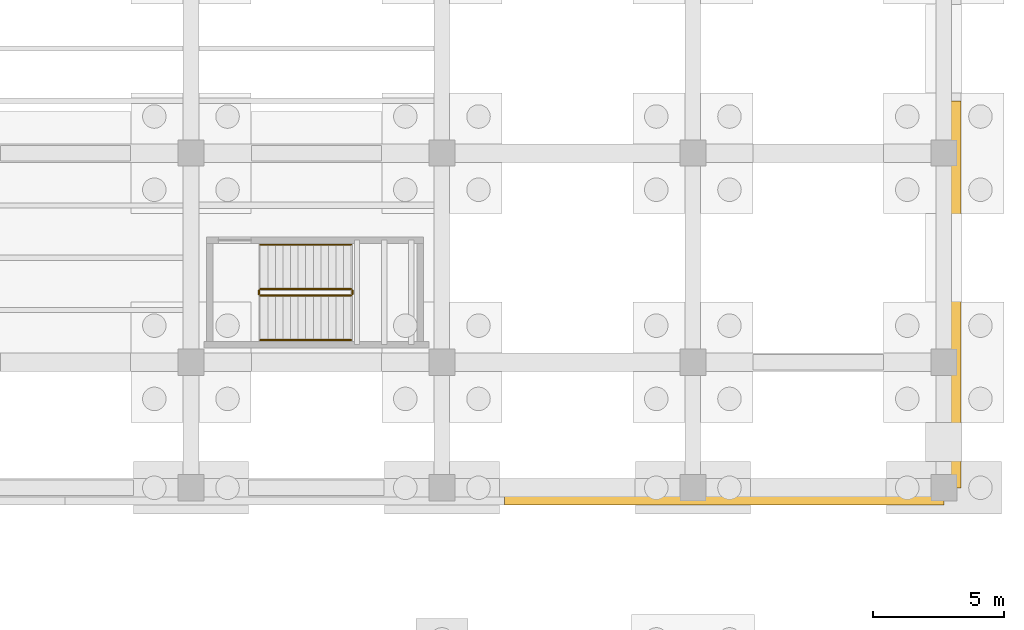
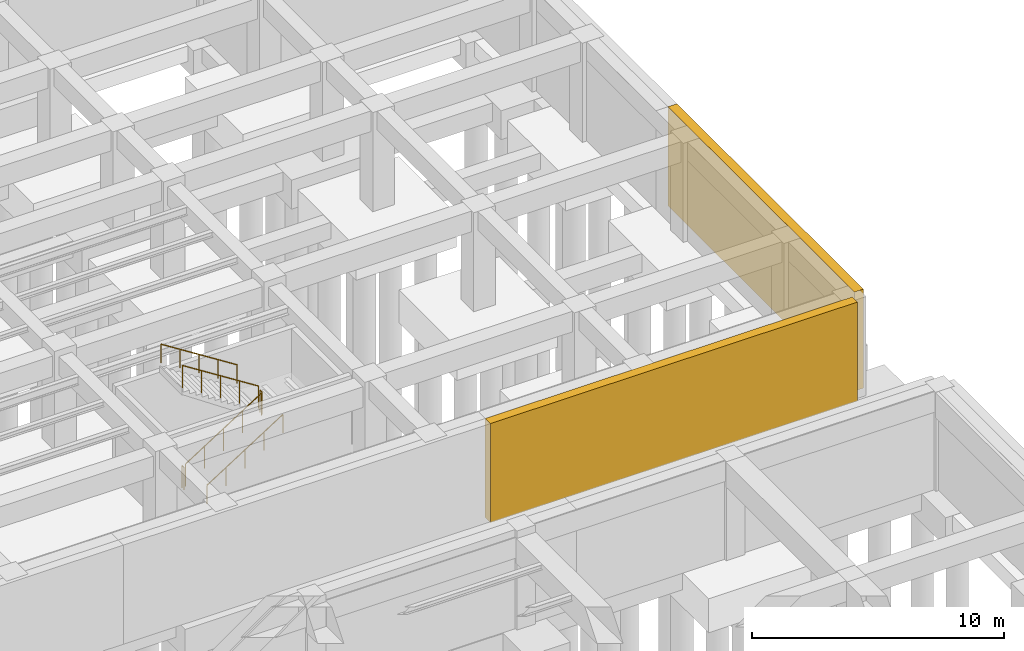
# One storey, part 54 of 56: 6 railings, 2 coverings.
"""IFC4 building model written with IfcOpenShell, lengths in metres."""

import ifcopenshell
import ifcopenshell.guid

model = None  # the IFC model being written
_history = None  # IfcOwnerHistory: only IFC2X3 demands one
_inside = {}  # id of a spatial element -> (the spatial element, [elements in it])
_under = {}  # id of a project, library or spatial element -> (it, [spatial elements below it])
_declared = {}  # id of a project -> (the project, [libraries it declares])
_typed = {}  # id of a type object -> (the type object, [elements of that type])
_made_of = {}  # id of a material, layer set ... -> (it, [elements and type objects made of it])


def new_model(schema):
    """Start an empty IFC model of exactly this schema.

    Asked for "IFC4X3", IfcOpenShell would pick the latest addendum, in which some entities
    have other attributes; the version numbers below select the first issue.
    IFC2X3 requires an IfcOwnerHistory on every rooted entity: one is made here for all.
    """
    global model, _history
    if schema == "IFC4X3":
        model = ifcopenshell.file(schema_version=(4, 3, 0, 0))
    else:
        model = ifcopenshell.file(schema=schema)
    _inside.clear()
    _under.clear()
    _declared.clear()
    _typed.clear()
    _made_of.clear()
    _history = None
    if model.schema == "IFC2X3":
        org = make("IfcOrganization", Name="unknown")
        user = make(
            "IfcPersonAndOrganization",
            ThePerson=make("IfcPerson", FamilyName="unknown"),
            TheOrganization=org,
        )
        app = make(
            "IfcApplication",
            ApplicationDeveloper=org,
            Version="unknown",
            ApplicationFullName="unknown",
            ApplicationIdentifier="unknown",
        )
        _history = make(
            "IfcOwnerHistory",
            OwningUser=user,
            OwningApplication=app,
            ChangeAction="ADDED",
            CreationDate=0,
        )
    return model


def make(cls, **values):
    """One entity of the class cls with the attributes given. An attribute that is None is left unset."""
    return model.create_entity(
        cls, **{name: value for name, value in values.items() if value is not None}
    )


def rooted(cls, **values):
    """An entity with a GlobalId (a new one), such as an element, a storey or a relation."""
    return make(cls, GlobalId=ifcopenshell.guid.new(), OwnerHistory=_history, **values)


def si_unit(unit_type, name, prefix=None):
    """IfcSIUnit, for example si_unit("LENGTHUNIT", "METRE", prefix="MILLI")."""
    return make("IfcSIUnit", UnitType=unit_type, Prefix=prefix, Name=name)


def assignment(units):
    """IfcUnitAssignment: the units of a project."""
    return None if units is None else make("IfcUnitAssignment", Units=units)


def point(xyz):
    """IfcCartesianPoint."""
    return None if xyz is None else make("IfcCartesianPoint", Coordinates=xyz)


def direction(xyz):
    """IfcDirection."""
    return None if xyz is None else make("IfcDirection", DirectionRatios=xyz)


def frame(location, z_axis=None, x_axis=None):
    """IfcAxis2Placement3D, a coordinate frame: its origin and axes. An axis left out is left unset."""
    return make(
        "IfcAxis2Placement3D",
        Location=point(location),
        Axis=direction(z_axis),
        RefDirection=direction(x_axis),
    )


def frame_2d(location, x_axis=None):
    """IfcAxis2Placement2D, a coordinate frame in the plane: its origin and x axis."""
    return make(
        "IfcAxis2Placement2D", Location=point(location), RefDirection=direction(x_axis)
    )


def origin():
    """The frame at (0, 0, 0) with its axes left unset."""
    return frame((0.0, 0.0, 0.0))


def origin_2d():
    """The frame at (0, 0) in the plane with its x axis left unset."""
    return frame_2d((0.0, 0.0))


def place(relative_to, where):
    """IfcLocalPlacement: puts the frame where relative to a parent placement (None: the world)."""
    return make(
        "IfcLocalPlacement", PlacementRelTo=relative_to, RelativePlacement=where
    )


def context(
    kind, dimensions, precision=None, world=None, true_north=None, identifier=None
):
    """IfcGeometricRepresentationContext, for example the 3D "Model" context."""
    return make(
        "IfcGeometricRepresentationContext",
        ContextIdentifier=identifier,
        ContextType=kind,
        CoordinateSpaceDimension=dimensions,
        Precision=precision,
        WorldCoordinateSystem=world,
        TrueNorth=true_north,
    )


def subcontext(parent, identifier, kind, view, scale=None):
    """IfcGeometricRepresentationSubContext, for example "Body" below "Model"."""
    return make(
        "IfcGeometricRepresentationSubContext",
        ContextIdentifier=identifier,
        ContextType=kind,
        ParentContext=parent,
        TargetScale=scale,
        TargetView=view,
    )


def project(units=None, contexts=None):
    """IfcProject with its units and contexts."""
    return rooted(
        "IfcProject",
        Name="project",
        RepresentationContexts=contexts,
        UnitsInContext=assignment(units),
    )


def spatial(cls, under=None, at=None, **own):
    """A site, building, storey or space (cls), placed at a placement, below another one or the project."""
    s = rooted(cls, ObjectPlacement=at, **own)
    if under is not None:
        _under.setdefault(under.id(), (under, []))[1].append(s)
    return s


def polyline(points):
    """IfcPolyline through the points."""
    return make("IfcPolyline", Points=[point(p) for p in points])


def profile(cls, at=None, kind="AREA", **sizes):
    """A parametric profile (cls). Its sizes go by their IFC names, for example OverallWidth=200.0."""
    return make(cls, ProfileType=kind, Position=at, **sizes)


def circle(**sizes):
    """IfcCircleProfileDef."""
    return profile("IfcCircleProfileDef", **sizes)


def outline(outer, holes=None, kind="AREA"):
    """IfcArbitraryClosedProfileDef: a profile drawn as a closed curve; with holes, ...WithVoids."""
    if holes is None:
        return make("IfcArbitraryClosedProfileDef", ProfileType=kind, OuterCurve=outer)
    return make(
        "IfcArbitraryProfileDefWithVoids",
        ProfileType=kind,
        OuterCurve=outer,
        InnerCurves=holes,
    )


def extrude(swept, where, along, depth):
    """IfcExtrudedAreaSolid: the profile swept, set in the frame where, extruded along a direction by depth."""
    return make(
        "IfcExtrudedAreaSolid",
        SweptArea=swept,
        Position=where,
        ExtrudedDirection=direction(along),
        Depth=depth,
    )


def shape(context_of_items, identifier, shape_type, items):
    """IfcShapeRepresentation: the items that make up one representation, for example the "Body"."""
    return make(
        "IfcShapeRepresentation",
        ContextOfItems=context_of_items,
        RepresentationIdentifier=identifier,
        RepresentationType=shape_type,
        Items=items,
    )


def material(Name=None, Category=None):
    """IfcMaterial."""
    return make("IfcMaterial", Name=Name, Category=Category)


def layer(
    of_material, thickness, ventilated=None, Name=None, Category=None, Priority=None
):
    """IfcMaterialLayer: one layer of a wall or slab, of a material (None: an air gap)."""
    return make(
        "IfcMaterialLayer",
        Material=of_material,
        LayerThickness=thickness,
        IsVentilated=ventilated,
        Name=Name,
        Category=Category,
        Priority=Priority,
    )


def layer_set(layers, Name=None):
    """IfcMaterialLayerSet."""
    return make("IfcMaterialLayerSet", MaterialLayers=layers, LayerSetName=Name)


def made_of(thing, what):
    """Note that an element or type object is made of a material, layer set ...; save() writes the relation."""
    if what is not None:
        _made_of.setdefault(what.id(), (what, []))[1].append(thing)
    return thing


def type_object(cls, material=None, **own):
    """A type object (cls), such as IfcWallType, which elements share."""
    return made_of(rooted(cls, **own), material)


def element(
    cls,
    number,
    at=None,
    inside=None,
    cuts=None,
    type_object=None,
    material=None,
    context=None,
    identifier="Body",
    shape_type=None,
    held_by="IfcProductDefinitionShape",
    body=None,
    shapes=None,
    **own,
):
    """One element of the class cls, such as IfcWall. Its Tag is "e" and its number.

    at: its placement. inside: the storey or other place that contains it. cuts: it is an
    opening in that element (IfcRelVoidsElement). A single representation is given by context,
    identifier, shape_type and body (its items); several are given by shapes. held_by: the class
    of the entity that holds the representations. save() writes the other relations.
    """
    e = rooted(cls, Tag="e%d" % number, ObjectPlacement=at, **own)
    if body is not None:
        shapes = [shape(context, identifier, shape_type, body)]
    if shapes is not None:
        e.Representation = make(held_by, Representations=shapes)
    if inside is not None:
        _inside.setdefault(inside.id(), (inside, []))[1].append(e)
    if cuts is not None:
        rooted(
            "IfcRelVoidsElement", RelatingBuildingElement=cuts, RelatedOpeningElement=e
        )
    if type_object is not None:
        _typed.setdefault(type_object.id(), (type_object, []))[1].append(e)
    return made_of(e, material)


def aggregate(whole, parts):
    """IfcRelAggregates: a whole, such as a stair, and the parts it consists of."""
    return rooted("IfcRelAggregates", RelatingObject=whole, RelatedObjects=parts)


def save(model, path):
    """Write the relations noted so far, then the file.

    IfcRelAggregates (storeys below a building ...), IfcRelContainedInSpatialStructure (elements
    in a storey), IfcRelDefinesByType, IfcRelAssociatesMaterial and IfcRelDeclares: one each for
    every whole, place, type object, material and project.
    """
    for whole, parts in _under.values():
        aggregate(whole, parts)
    for where, things in _inside.values():
        rooted(
            "IfcRelContainedInSpatialStructure",
            RelatedElements=things,
            RelatingStructure=where,
        )
    for kind, things in _typed.values():
        rooted("IfcRelDefinesByType", RelatedObjects=things, RelatingType=kind)
    for what, things in _made_of.values():
        rooted("IfcRelAssociatesMaterial", RelatedObjects=things, RelatingMaterial=what)
    for by, libraries in _declared.values():
        rooted("IfcRelDeclares", RelatingContext=by, RelatedDefinitions=libraries)
    model.write(path)


model = new_model("IFC4")

# Units and contexts
model_context = context("Model", 3, precision=1e-05, world=origin(), true_north=direction((0.0, 1.0)))
body_context = subcontext(model_context, "Body", "Model", "MODEL_VIEW")
ifc_project = project(units=[si_unit("LENGTHUNIT", "METRE"), si_unit("AREAUNIT", "SQUARE_METRE"), si_unit("VOLUMEUNIT", "CUBIC_METRE"), si_unit("PLANEANGLEUNIT", "RADIAN"), si_unit("MASSUNIT", "GRAM", prefix="KILO")], contexts=[model_context])

# Site, building, storey
site_placement = place(None, origin())
site = spatial("IfcSite", under=ifc_project, at=site_placement, CompositionType="ELEMENT")
building_placement = place(site_placement, origin())
building = spatial("IfcBuilding", under=site, at=building_placement, Name="Mavantir Sound Aquarium", CompositionType="ELEMENT")
storey_placement = place(building_placement, frame((0.0, 0.0, -9.60009765625)))
storey = spatial("IfcBuildingStorey", under=building, at=storey_placement, Name="B2", CompositionType="ELEMENT", Elevation=-9.60009765625)

# Coverings
ifc_material_1 = material(Name="Honed Coral-Limestone & Glazed Terracotta Rainscreen Cladding", Category="masonry")
ifc_layer = layer(ifc_material_1, 0.06005859375, Name="Honed Coral-Limestone & Glazed Terracotta Rainscreen Cladding")
ifc_layer_set = layer_set([ifc_layer], Name="Honed Coral-Limestone & Glazed Terracotta Rainscreen Cladding")
covering_type = type_object("IfcCoveringType", Name="COV-CLAD-TC", PredefinedType="CLADDING", material=ifc_layer_set)
covering_1_placement = place(storey_placement, origin())
element("IfcCovering", 1, at=covering_1_placement, inside=storey, type_object=covering_type, Name="B2 rusticated coral-stone plinth cladding 11", PredefinedType="CLADDING", context=body_context, shape_type="SweptSolid", body=[
    extrude(outline(polyline([(158.387451171875, 35.75), (175.199951171875, 35.75), (175.199951171875, 35.340087890625), (158.387451171875, 35.340087890625), (158.387451171875, 35.75)])), origin(), (0.0, 0.0, 1.0), 4.800048828125),
])
covering_2_placement = place(storey_placement, origin())
element("IfcCovering", 2, at=covering_2_placement, inside=storey, type_object=covering_type, Name="B2 rusticated coral-stone plinth cladding 12", PredefinedType="CLADDING", context=body_context, shape_type="SweptSolid", body=[
    extrude(outline(polyline([(175.449951171875, 36.0), (175.449951171875, 50.800048828125), (175.860107421875, 50.800048828125), (175.860107421875, 36.0), (175.449951171875, 36.0)])), origin(), (0.0, 0.0, 1.0), 4.800048828125),
])

# Railings
ifc_material_2 = material(Name="Stainless Steel 316 and Laminated Glass Guardrail", Category="steel")
railing_type_1 = type_object("IfcRailingType", Name="RL-GUARD-110", PredefinedType="GUARDRAIL", material=ifc_material_2)
railing_1_placement = place(storey_placement, frame((149.050048828125, 43.35009765625, 0.184814453125)))
element("IfcRailing", 3, at=railing_1_placement, inside=storey, type_object=railing_type_1, Name="B2 ST12 stair guard 1", PredefinedType="GUARDRAIL", context=body_context, shape_type="SweptSolid", body=[
    extrude(circle(Radius=0.02392578125, at=origin_2d()), frame((0.0, 0.0, 1.076171875), z_axis=(0.843573748531, 0.0, 0.537013343214), x_axis=(0.0, 1.0, 0.0)), (0.0, 0.0, 1.0), 4.125244140625),
    extrude(circle(Radius=0.02099609375, at=origin_2d()), origin(), (0.0, 0.0, 1.0), 1.052001953125),
    extrude(circle(Radius=0.02099609375, at=origin_2d()), frame((0.8701171875, 0.0, 0.5537109375)), (0.0, 0.0, 1.0), 1.052001953125),
    extrude(circle(Radius=0.02099609375, at=origin_2d()), frame((1.739990234375, 0.0, 1.107666015625)), (0.0, 0.0, 1.0), 1.052001953125),
    extrude(circle(Radius=0.02099609375, at=origin_2d()), frame((2.60986328125, 0.0, 1.66162109375)), (0.0, 0.0, 1.0), 1.052001953125),
    extrude(circle(Radius=0.02099609375, at=origin_2d()), frame((3.47998046875, 0.0, 2.21533203125)), (0.0, 0.0, 1.0), 1.052001953125),
])
railing_2_placement = place(storey_placement, frame((152.580078125, 43.39990234375, 2.400146484375)))
element("IfcRailing", 4, at=railing_2_placement, inside=storey, type_object=railing_type_1, Name="B2 ST12 stair guard 2", PredefinedType="GUARDRAIL", context=body_context, shape_type="SweptSolid", body=[
    extrude(circle(Radius=0.02392578125, at=origin_2d()), frame((0.0, 0.0, 1.076171875), z_axis=(0.0, 1.0, 0.0), x_axis=(-1.0, 0.0, 0.0)), (0.0, 0.0, 1.0), 0.150146484375),
    extrude(circle(Radius=0.02099609375, at=origin_2d()), origin(), (0.0, 0.0, 1.0), 1.052001953125),
    extrude(circle(Radius=0.02099609375, at=origin_2d()), frame((0.0, 0.150146484375, 0.0)), (0.0, 0.0, 1.0), 1.052001953125),
])
railing_3_placement = place(storey_placement, frame((152.530029296875, 43.60009765625, 2.584716796875)))
element("IfcRailing", 5, at=railing_3_placement, inside=storey, type_object=railing_type_1, Name="B2 ST12 stair guard 3", PredefinedType="GUARDRAIL", context=body_context, shape_type="SweptSolid", body=[
    extrude(circle(Radius=0.02392578125, at=origin_2d()), frame((0.0, 0.0, 1.076171875), z_axis=(-0.843573748531, 0.0, 0.537013343214), x_axis=(0.0, -1.0, 0.0)), (0.0, 0.0, 1.0), 4.125244140625),
    extrude(circle(Radius=0.02099609375, at=origin_2d()), origin(), (0.0, 0.0, 1.0), 1.052001953125),
    extrude(circle(Radius=0.02099609375, at=origin_2d()), frame((-0.8701171875, 0.0, 0.5537109375)), (0.0, 0.0, 1.0), 1.052001953125),
    extrude(circle(Radius=0.02099609375, at=origin_2d()), frame((-1.739990234375, 0.0, 1.107666015625)), (0.0, 0.0, 1.0), 1.052001953125),
    extrude(circle(Radius=0.02099609375, at=origin_2d()), frame((-2.60986328125, 0.0, 1.66162109375)), (0.0, 0.0, 1.0), 1.052001953125),
    extrude(circle(Radius=0.02099609375, at=origin_2d()), frame((-3.47998046875, 0.0, 2.21533203125)), (0.0, 0.0, 1.0), 1.052001953125),
])
railing_4_placement = place(storey_placement, frame((149.0, 43.39990234375, 0.0)))
element("IfcRailing", 6, at=railing_4_placement, inside=storey, type_object=railing_type_1, Name="B2 ST12 stair guard 4", PredefinedType="GUARDRAIL", context=body_context, shape_type="SweptSolid", body=[
    extrude(circle(Radius=0.02392578125, at=origin_2d()), frame((0.0, 0.0, 1.076171875), z_axis=(0.0, 1.0, 0.0), x_axis=(-1.0, 0.0, 0.0)), (0.0, 0.0, 1.0), 0.150146484375),
    extrude(circle(Radius=0.02099609375, at=origin_2d()), origin(), (0.0, 0.0, 1.0), 1.052001953125),
    extrude(circle(Radius=0.02099609375, at=origin_2d()), frame((0.0, 0.150146484375, 0.0)), (0.0, 0.0, 1.0), 1.052001953125),
])
ifc_material_3 = material(Name="Brushed Stainless Steel 316 Handrail", Category="steel")
railing_type_2 = type_object("IfcRailingType", Name="RL-HR-90", PredefinedType="HANDRAIL", material=ifc_material_3)
railing_5_placement = place(storey_placement, frame((149.050048828125, 41.64990234375, 0.36962890625)))
element("IfcRailing", 7, at=railing_5_placement, inside=storey, type_object=railing_type_2, Name="B2 ST12 stair handrail 1", PredefinedType="HANDRAIL", context=body_context, shape_type="SweptSolid", body=[
    extrude(circle(Radius=0.02392578125, at=origin_2d()), frame((0.0, 0.0, 0.89111328125), z_axis=(0.843546938479, 0.0, 0.53705545578), x_axis=(0.0, 1.0, 0.0)), (0.0, 0.0, 1.0), 4.12548828125),
    extrude(circle(Radius=0.02099609375, at=origin_2d()), origin(), (0.0, 0.0, 1.0), 0.866943359375),
    extrude(circle(Radius=0.02099609375, at=origin_2d()), frame((0.8701171875, 0.0, 0.553955078125)), (0.0, 0.0, 1.0), 0.866943359375),
    extrude(circle(Radius=0.02099609375, at=origin_2d()), frame((1.739990234375, 0.0, 1.10791015625)), (0.0, 0.0, 1.0), 0.866943359375),
    extrude(circle(Radius=0.02099609375, at=origin_2d()), frame((2.60986328125, 0.0, 1.66162109375)), (0.0, 0.0, 1.0), 0.866943359375),
    extrude(circle(Radius=0.02099609375, at=origin_2d()), frame((3.47998046875, 0.0, 2.215576171875)), (0.0, 0.0, 1.0), 0.866943359375),
])
railing_6_placement = place(storey_placement, frame((152.530029296875, 45.300048828125, 2.769775390625)))
element("IfcRailing", 8, at=railing_6_placement, inside=storey, type_object=railing_type_2, Name="B2 ST12 stair handrail 2", PredefinedType="HANDRAIL", context=body_context, shape_type="SweptSolid", body=[
    extrude(circle(Radius=0.02392578125, at=origin_2d()), frame((0.0, 0.0, 0.89111328125), z_axis=(-0.843573748531, 0.0, 0.537013343214), x_axis=(0.0, -1.0, 0.0)), (0.0, 0.0, 1.0), 4.125244140625),
    extrude(circle(Radius=0.02099609375, at=origin_2d()), origin(), (0.0, 0.0, 1.0), 0.866943359375),
    extrude(circle(Radius=0.02099609375, at=origin_2d()), frame((-0.8701171875, 0.0, 0.5537109375)), (0.0, 0.0, 1.0), 0.866943359375),
    extrude(circle(Radius=0.02099609375, at=origin_2d()), frame((-1.739990234375, 0.0, 1.107666015625)), (0.0, 0.0, 1.0), 0.866943359375),
    extrude(circle(Radius=0.02099609375, at=origin_2d()), frame((-2.60986328125, 0.0, 1.66162109375)), (0.0, 0.0, 1.0), 0.866943359375),
    extrude(circle(Radius=0.02099609375, at=origin_2d()), frame((-3.47998046875, 0.0, 2.21533203125)), (0.0, 0.0, 1.0), 0.866943359375),
])

save(model, "model.ifc")
